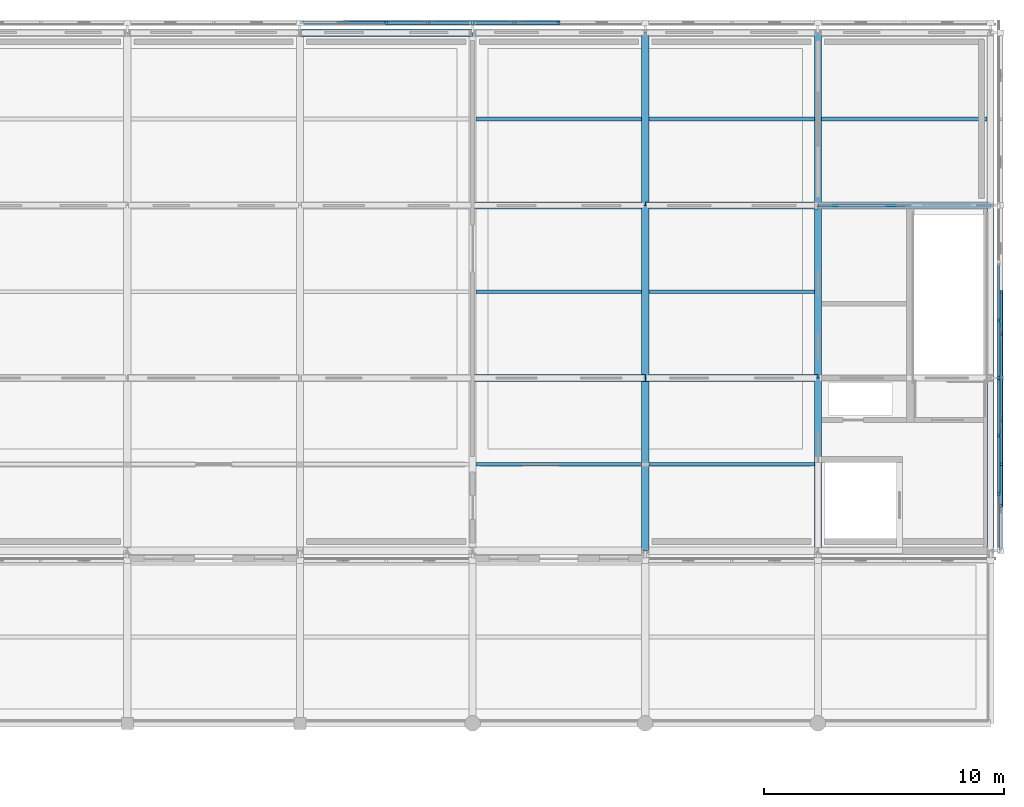
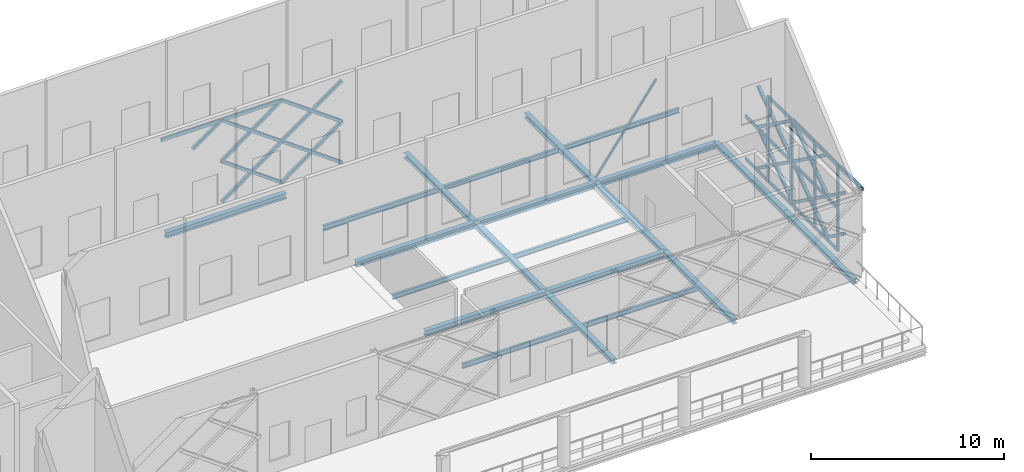
# One storey, part 16 of 31: 46 members, 21 beams, 2 elements without a shape of their own.
"""IFC4 building model written with IfcOpenShell, lengths in metres."""

from ifc_helpers import new_model, si_unit, direction, frame, origin, origin_2d, place, context, subcontext, project, spatial, rectangle, hollow_rectangle, i_section, extrude, material, material_profile, profile_set, type_object, element, aggregate, save


model = new_model("IFC4")

# Units and contexts
model_context = context("Model", 3, precision=1e-05, world=origin(), true_north=direction((0.0, 1.0)))
body_context = subcontext(model_context, "Body", "Model", "MODEL_VIEW")
ifc_project = project(units=[si_unit("LENGTHUNIT", "METRE"), si_unit("AREAUNIT", "SQUARE_METRE"), si_unit("VOLUMEUNIT", "CUBIC_METRE"), si_unit("PLANEANGLEUNIT", "RADIAN"), si_unit("MASSUNIT", "GRAM", prefix="KILO")], contexts=[model_context])

# Site, building, storey
site_placement = place(None, origin())
site = spatial("IfcSite", under=ifc_project, at=site_placement, CompositionType="ELEMENT")
building_placement = place(site_placement, origin())
building = spatial("IfcBuilding", under=site, at=building_placement, Name="Zlatovets Crest Museum", CompositionType="ELEMENT")
storey_placement = place(building_placement, frame((0.0, 0.0, 25.199951171875)))
storey = spatial("IfcBuildingStorey", under=building, at=storey_placement, Name="L05", CompositionType="ELEMENT", Elevation=25.199951171875)

# Beams
ifc_material_1 = material(Name="Structural steel S355J2", Category="steel")
ifc_material_profile_1 = material_profile(ifc_material_1, i_section(OverallWidth=0.300048828125, OverallDepth=0.35009765625, WebThickness=0.010009765625, FlangeThickness=0.017578125, FilletRadius=0.027099609375, at=origin_2d()), Name="HEA 360")
ifc_profile_set_1 = profile_set([ifc_material_profile_1], Name="Structural steel S355J2")
beam_type_1 = type_object("IfcBeamType", Name="Beam_B-03", PredefinedType="BEAM", material=ifc_profile_set_1)
beam_1_placement = place(storey_placement, frame((86.39990234375, 100.800048828125, -0.4150390625), z_axis=(1.0, 0.0, 0.0), x_axis=(0.0, 1.0, 0.0)))
element("IfcBeam", 1, at=beam_1_placement, inside=storey, type_object=beam_type_1, Name="V1 L05 Primary Girder B-03", PredefinedType="BEAM", context=body_context, shape_type="SweptSolid", body=[
    extrude(i_section(OverallWidth=0.300048828125, OverallDepth=0.35009765625, WebThickness=0.010009765625, FlangeThickness=0.017578125, FilletRadius=0.027099609375, at=origin_2d()), origin(), (0.0, 0.0, 1.0), 7.2001953125),
])
beam_2_placement = place(storey_placement, frame((93.60009765625, 100.800048828125, -0.4150390625), z_axis=(1.0, 0.0, 0.0), x_axis=(0.0, 1.0, 0.0)))
element("IfcBeam", 2, at=beam_2_placement, inside=storey, type_object=beam_type_1, Name="V1 L05 Primary Girder B-03", PredefinedType="BEAM", context=body_context, shape_type="SweptSolid", body=[
    extrude(i_section(OverallWidth=0.300048828125, OverallDepth=0.35009765625, WebThickness=0.010009765625, FlangeThickness=0.017578125, FilletRadius=0.027099609375, at=origin_2d()), origin(), (0.0, 0.0, 1.0), 7.199951171875),
])
beam_3_placement = place(storey_placement, frame((86.39990234375, 108.0, -0.4150390625), z_axis=(1.0, 0.0, 0.0), x_axis=(0.0, 1.0, 0.0)))
element("IfcBeam", 3, at=beam_3_placement, inside=storey, type_object=beam_type_1, Name="V1 L05 Primary Girder B-03", PredefinedType="BEAM", context=body_context, shape_type="SweptSolid", body=[
    extrude(i_section(OverallWidth=0.300048828125, OverallDepth=0.35009765625, WebThickness=0.010009765625, FlangeThickness=0.017578125, FilletRadius=0.027099609375, at=origin_2d()), origin(), (0.0, 0.0, 1.0), 7.2001953125),
])
for number, where, z_axis, x_axis, name in (
    (4, (93.60009765625, 108.0, -0.4150390625), (1.0, 0.0, 0.0), (0.0, 1.0, 0.0), "V1 L05 Primary Girder B-03"),
    (5, (100.800048828125, 108.0, -0.4150390625), (1.0, 0.0, 0.0), (0.0, 1.0, 0.0), "V1 L05 Primary Girder B-03"),
    (6, (79.199951171875, 115.199951171875, -0.4150390625), (1.0, 0.0, 0.0), (0.0, 1.0, 0.0), "V1 L05 Primary Girder B-03"),
):
    element("IfcBeam", number, at=place(storey_placement, frame(where, z_axis=z_axis, x_axis=x_axis)), inside=storey, type_object=beam_type_1, Name=name, PredefinedType="BEAM", context=body_context, shape_type="SweptSolid", body=[
        extrude(i_section(OverallWidth=0.300048828125, OverallDepth=0.35009765625, WebThickness=0.010009765625, FlangeThickness=0.017578125, FilletRadius=0.027099609375, at=origin_2d()), origin(), (0.0, 0.0, 1.0), 7.199951171875),
    ])
ifc_material_profile_2 = material_profile(ifc_material_1, i_section(OverallWidth=0.300048828125, OverallDepth=0.31005859375, WebThickness=0.009033203125, FlangeThickness=0.015380859375, FilletRadius=0.027099609375, at=origin_2d()), Name="HEA 320")
ifc_profile_set_2 = profile_set([ifc_material_profile_2], Name="Structural steel S355J2")
beam_type_2 = type_object("IfcBeamType", Name="Beam_B-04", PredefinedType="BEAM", material=ifc_profile_set_2)
for number, where, z_axis, x_axis, name in (
    (7, (93.60009765625, 93.60009765625, -0.39501953125), (0.0, 1.0, 0.0), (-1.0, 0.0, 0.0), "V1 L05 Grid Beam B-04"),
    (8, (93.60009765625, 100.800048828125, -0.39501953125), (0.0, 1.0, 0.0), (-1.0, 0.0, 0.0), "V1 L05 Grid Beam B-04"),
    (9, (93.60009765625, 108.0, -0.39501953125), (0.0, 1.0, 0.0), (-1.0, 0.0, 0.0), "V1 L05 Grid Beam B-04"),
    (10, (100.800048828125, 93.60009765625, -0.39501953125), (0.0, 1.0, 0.0), (-1.0, 0.0, 0.0), "V1 L05 Grid Beam B-04"),
    (11, (100.800048828125, 100.800048828125, -0.39501953125), (0.0, 1.0, 0.0), (-1.0, 0.0, 0.0), "V1 L05 Grid Beam B-04"),
    (12, (100.800048828125, 108.0, -0.39501953125), (0.0, 1.0, 0.0), (-1.0, 0.0, 0.0), "V1 L05 Grid Beam B-04"),
    (13, (108.0, 93.60009765625, -0.39501953125), (0.0, 1.0, 0.0), (-1.0, 0.0, 0.0), "V1 L05 Grid Beam B-04"),
    (14, (108.0, 100.800048828125, -0.39501953125), (0.0, 1.0, 0.0), (-1.0, 0.0, 0.0), "V1 L05 Grid Beam B-04"),
):
    element("IfcBeam", number, at=place(storey_placement, frame(where, z_axis=z_axis, x_axis=x_axis)), inside=storey, type_object=beam_type_2, Name=name, PredefinedType="BEAM", context=body_context, shape_type="SweptSolid", body=[
        extrude(i_section(OverallWidth=0.300048828125, OverallDepth=0.31005859375, WebThickness=0.009033203125, FlangeThickness=0.015380859375, FilletRadius=0.027099609375, at=origin_2d()), origin(), (0.0, 0.0, 1.0), 7.199951171875),
    ])
ifc_material_profile_3 = material_profile(ifc_material_1, i_section(OverallWidth=0.14990234375, OverallDepth=0.300048828125, WebThickness=0.007080078125, FlangeThickness=0.0107421875, FilletRadius=0.014892578125, at=origin_2d()), Name="IPE 300")
ifc_profile_set_3 = profile_set([ifc_material_profile_3], Name="Structural steel S355J2")
beam_type_3 = type_object("IfcBeamType", Name="Beam_J-02", PredefinedType="JOIST", material=ifc_profile_set_3)
for number, where, z_axis, x_axis, name in (
    (15, (86.550048828125, 97.199951171875, -0.389892578125), (1.0, 0.0, 0.0), (0.0, 1.0, 0.0), "V1 L05 Composite Joist J-02"),
    (16, (86.550048828125, 104.39990234375, -0.389892578125), (1.0, 0.0, 0.0), (0.0, 1.0, 0.0), "V1 L05 Composite Joist J-02"),
    (17, (86.550048828125, 111.60009765625, -0.389892578125), (1.0, 0.0, 0.0), (0.0, 1.0, 0.0), "V1 L05 Composite Joist J-02"),
    (18, (93.75, 97.199951171875, -0.389892578125), (1.0, 0.0, 0.0), (0.0, 1.0, 0.0), "V1 L05 Composite Joist J-02"),
    (19, (93.75, 104.39990234375, -0.389892578125), (1.0, 0.0, 0.0), (0.0, 1.0, 0.0), "V1 L05 Composite Joist J-02"),
    (20, (93.75, 111.60009765625, -0.389892578125), (1.0, 0.0, 0.0), (0.0, 1.0, 0.0), "V1 L05 Composite Joist J-02"),
):
    element("IfcBeam", number, at=place(storey_placement, frame(where, z_axis=z_axis, x_axis=x_axis)), inside=storey, type_object=beam_type_3, Name=name, PredefinedType="JOIST", context=body_context, shape_type="SweptSolid", body=[
        extrude(i_section(OverallWidth=0.14990234375, OverallDepth=0.300048828125, WebThickness=0.007080078125, FlangeThickness=0.0107421875, FilletRadius=0.014892578125, at=origin_2d()), origin(), (0.0, 0.0, 1.0), 6.89990234375),
    ])
beam_4_placement = place(storey_placement, frame((100.949951171875, 111.60009765625, -0.389892578125), z_axis=(1.0, 0.0, 0.0), x_axis=(0.0, 1.0, 0.0)))
element("IfcBeam", 21, at=beam_4_placement, inside=storey, type_object=beam_type_3, Name="V1 L05 Composite Joist J-02", PredefinedType="JOIST", context=body_context, shape_type="SweptSolid", body=[
    extrude(i_section(OverallWidth=0.14990234375, OverallDepth=0.300048828125, WebThickness=0.007080078125, FlangeThickness=0.0107421875, FilletRadius=0.014892578125, at=origin_2d()), origin(), (0.0, 0.0, 1.0), 6.900146484375),
])

# Curtain wall, members
ifc_material_2 = material(Name="Bronze-anodised aluminium and low-E triple glass", Category="aluminium")
curtain_wall_type_1 = type_object("IfcCurtainWallType", Name="CW_CW-V1-L05-M3", PredefinedType="NOTDEFINED", material=ifc_material_2)
curtain_wall_1_placement = place(storey_placement, origin())
curtain_wall_1 = element("IfcCurtainWall", 22, at=curtain_wall_1_placement, inside=storey, type_object=curtain_wall_type_1, Name="V1 L05 Expressed Core Glazed Facade", PredefinedType="NOTDEFINED")
ifc_material_3 = material(Name="Bronze-anodised aluminium EN AW-6060", Category="aluminium")
ifc_material_profile_4 = material_profile(ifc_material_3, rectangle(XDim=0.090087890625, YDim=0.199951171875, at=origin_2d()), Name="ALU 90x200")
ifc_profile_set_4 = profile_set([ifc_material_profile_4], Name="Bronze-anodised aluminium EN AW-6060")
member_type_1 = type_object("IfcMemberType", Name="CWMull_M2", PredefinedType="MULLION", material=ifc_profile_set_4)
member_1_placement = place(storey_placement, frame((108.340087890625, 96.0, 0.0), z_axis=(0.0, 0.0, 1.0), x_axis=(-1.0, 0.0, 0.0)))
member_1 = element("IfcMember", 23, at=member_1_placement, type_object=member_type_1, Name="CW-V1-L05-M3 mullion 2", PredefinedType="MULLION", context=body_context, shape_type="SweptSolid", body=[
    extrude(rectangle(XDim=0.090087890625, YDim=0.199951171875, at=origin_2d()), origin(), (0.0, 0.0, 1.0), 5.400146484375),
])
member_2_placement = place(storey_placement, frame((108.340087890625, 98.39990234375, 0.0), z_axis=(0.0, 0.0, 1.0), x_axis=(-1.0, 0.0, 0.0)))
member_2 = element("IfcMember", 24, at=member_2_placement, type_object=member_type_1, Name="CW-V1-L05-M3 mullion 3", PredefinedType="MULLION", context=body_context, shape_type="SweptSolid", body=[
    extrude(rectangle(XDim=0.090087890625, YDim=0.199951171875, at=origin_2d()), origin(), (0.0, 0.0, 1.0), 5.400146484375),
])
member_3_placement = place(storey_placement, frame((108.340087890625, 100.77001953125, 0.0), z_axis=(0.0, 0.0, 1.0), x_axis=(-1.0, 0.0, 0.0)))
member_3 = element("IfcMember", 25, at=member_3_placement, type_object=member_type_1, Name="CW-V1-L05-M3 mullion 4", PredefinedType="MULLION", context=body_context, shape_type="SweptSolid", body=[
    extrude(rectangle(XDim=0.090087890625, YDim=0.199951171875, at=origin_2d()), origin(), (0.0, 0.0, 1.0), 5.400146484375),
])

curtain_wall_type_2 = type_object("IfcCurtainWallType", Name="CW_CW-V1-L05-M0", PredefinedType="NOTDEFINED", material=ifc_material_2)
curtain_wall_2_placement = place(storey_placement, origin())
curtain_wall_2 = element("IfcCurtainWall", 26, at=curtain_wall_2_placement, inside=storey, type_object=curtain_wall_type_2, Name="V1 L05 Expressed Core Glazed Facade", PredefinedType="NOTDEFINED")
member_4_placement = place(storey_placement, frame((108.340087890625, 100.830078125, 0.0), z_axis=(0.0, 0.0, 1.0), x_axis=(-1.0, 0.0, 0.0)))
member_4 = element("IfcMember", 27, at=member_4_placement, type_object=member_type_1, Name="CW-V1-L05-M0 mullion 1", PredefinedType="MULLION", context=body_context, shape_type="SweptSolid", body=[
    extrude(rectangle(XDim=0.090087890625, YDim=0.199951171875, at=origin_2d()), origin(), (0.0, 0.0, 1.0), 5.400146484375),
])
member_5_placement = place(storey_placement, frame((108.340087890625, 103.199951171875, 0.0), z_axis=(0.0, 0.0, 1.0), x_axis=(-1.0, 0.0, 0.0)))
member_5 = element("IfcMember", 28, at=member_5_placement, type_object=member_type_1, Name="CW-V1-L05-M0 mullion 2", PredefinedType="MULLION", context=body_context, shape_type="SweptSolid", body=[
    extrude(rectangle(XDim=0.090087890625, YDim=0.199951171875, at=origin_2d()), origin(), (0.0, 0.0, 1.0), 5.400146484375),
])

# Member
ifc_material_profile_5 = material_profile(ifc_material_3, rectangle(XDim=0.090087890625, YDim=0.199951171875, at=origin_2d()), Name="ALU 90x200")
ifc_profile_set_5 = profile_set([ifc_material_profile_5], Name="Bronze-anodised aluminium EN AW-6060")
member_type_2 = type_object("IfcMemberType", Name="CWTrans_T2", PredefinedType="USERDEFINED", material=ifc_profile_set_5)
member_6_placement = place(storey_placement, frame((108.340087890625, 96.030029296875, 0.030029296875), z_axis=(0.0, 1.0, 0.0), x_axis=(-1.0, 0.0, 0.0)))
member_6 = element("IfcMember", 29, at=member_6_placement, type_object=member_type_2, Name="CW-V1-L05-M3 transom 2.1", ObjectType="TRANSOM", PredefinedType="USERDEFINED", context=body_context, shape_type="SweptSolid", body=[
    extrude(rectangle(XDim=0.090087890625, YDim=0.199951171875, at=origin_2d()), origin(), (0.0, 0.0, 1.0), 2.340087890625),
])

member_7_placement = place(storey_placement, frame((108.340087890625, 96.030029296875, 2.699951171875), z_axis=(0.0, 1.0, 0.0), x_axis=(-1.0, 0.0, 0.0)))
member_7 = element("IfcMember", 30, at=member_7_placement, type_object=member_type_2, Name="CW-V1-L05-M3 transom 2.2", ObjectType="TRANSOM", PredefinedType="USERDEFINED", context=body_context, shape_type="SweptSolid", body=[
    extrude(rectangle(XDim=0.090087890625, YDim=0.199951171875, at=origin_2d()), origin(), (0.0, 0.0, 1.0), 2.340087890625),
])

member_8_placement = place(storey_placement, frame((108.340087890625, 96.030029296875, 5.3701171875), z_axis=(0.0, 1.0, 0.0), x_axis=(-1.0, 0.0, 0.0)))
member_8 = element("IfcMember", 31, at=member_8_placement, type_object=member_type_2, Name="CW-V1-L05-M3 transom 2.3", ObjectType="TRANSOM", PredefinedType="USERDEFINED", context=body_context, shape_type="SweptSolid", body=[
    extrude(rectangle(XDim=0.090087890625, YDim=0.199951171875, at=origin_2d()), origin(), (0.0, 0.0, 1.0), 2.340087890625),
])

member_9_placement = place(storey_placement, frame((108.340087890625, 98.429931640625, 0.030029296875), z_axis=(0.0, 1.0, 0.0), x_axis=(-1.0, 0.0, 0.0)))
member_9 = element("IfcMember", 32, at=member_9_placement, type_object=member_type_2, Name="CW-V1-L05-M3 transom 3.1", ObjectType="TRANSOM", PredefinedType="USERDEFINED", context=body_context, shape_type="SweptSolid", body=[
    extrude(rectangle(XDim=0.090087890625, YDim=0.199951171875, at=origin_2d()), origin(), (0.0, 0.0, 1.0), 2.31005859375),
])

member_10_placement = place(storey_placement, frame((108.340087890625, 98.429931640625, 2.699951171875), z_axis=(0.0, 1.0, 0.0), x_axis=(-1.0, 0.0, 0.0)))
member_10 = element("IfcMember", 33, at=member_10_placement, type_object=member_type_2, Name="CW-V1-L05-M3 transom 3.2", ObjectType="TRANSOM", PredefinedType="USERDEFINED", context=body_context, shape_type="SweptSolid", body=[
    extrude(rectangle(XDim=0.090087890625, YDim=0.199951171875, at=origin_2d()), origin(), (0.0, 0.0, 1.0), 2.31005859375),
])

member_11_placement = place(storey_placement, frame((108.340087890625, 98.429931640625, 5.3701171875), z_axis=(0.0, 1.0, 0.0), x_axis=(-1.0, 0.0, 0.0)))
member_11 = element("IfcMember", 34, at=member_11_placement, type_object=member_type_2, Name="CW-V1-L05-M3 transom 3.3", ObjectType="TRANSOM", PredefinedType="USERDEFINED", context=body_context, shape_type="SweptSolid", body=[
    extrude(rectangle(XDim=0.090087890625, YDim=0.199951171875, at=origin_2d()), origin(), (0.0, 0.0, 1.0), 2.31005859375),
])

aggregate(curtain_wall_1, [member_1, member_2, member_3, member_6, member_7, member_8, member_9, member_10, member_11])

member_12_placement = place(storey_placement, frame((108.340087890625, 100.860107421875, 0.030029296875), z_axis=(0.0, 1.0, 0.0), x_axis=(-1.0, 0.0, 0.0)))
member_12 = element("IfcMember", 35, at=member_12_placement, type_object=member_type_2, Name="CW-V1-L05-M0 transom 1.1", ObjectType="TRANSOM", PredefinedType="USERDEFINED", context=body_context, shape_type="SweptSolid", body=[
    extrude(rectangle(XDim=0.090087890625, YDim=0.199951171875, at=origin_2d()), origin(), (0.0, 0.0, 1.0), 2.309814453125),
])

member_13_placement = place(storey_placement, frame((108.340087890625, 100.860107421875, 2.699951171875), z_axis=(0.0, 1.0, 0.0), x_axis=(-1.0, 0.0, 0.0)))
member_13 = element("IfcMember", 36, at=member_13_placement, type_object=member_type_2, Name="CW-V1-L05-M0 transom 1.2", ObjectType="TRANSOM", PredefinedType="USERDEFINED", context=body_context, shape_type="SweptSolid", body=[
    extrude(rectangle(XDim=0.090087890625, YDim=0.199951171875, at=origin_2d()), origin(), (0.0, 0.0, 1.0), 2.309814453125),
])

member_14_placement = place(storey_placement, frame((108.340087890625, 100.860107421875, 5.3701171875), z_axis=(0.0, 1.0, 0.0), x_axis=(-1.0, 0.0, 0.0)))
member_14 = element("IfcMember", 37, at=member_14_placement, type_object=member_type_2, Name="CW-V1-L05-M0 transom 1.3", ObjectType="TRANSOM", PredefinedType="USERDEFINED", context=body_context, shape_type="SweptSolid", body=[
    extrude(rectangle(XDim=0.090087890625, YDim=0.199951171875, at=origin_2d()), origin(), (0.0, 0.0, 1.0), 2.309814453125),
])

member_15_placement = place(storey_placement, frame((108.340087890625, 103.22998046875, 0.030029296875), z_axis=(0.0, 1.0, 0.0), x_axis=(-1.0, 0.0, 0.0)))
member_15 = element("IfcMember", 38, at=member_15_placement, type_object=member_type_2, Name="CW-V1-L05-M0 transom 2.1", ObjectType="TRANSOM", PredefinedType="USERDEFINED", context=body_context, shape_type="SweptSolid", body=[
    extrude(rectangle(XDim=0.090087890625, YDim=0.199951171875, at=origin_2d()), origin(), (0.0, 0.0, 1.0), 2.340087890625),
])

member_16_placement = place(storey_placement, frame((108.340087890625, 103.22998046875, 2.699951171875), z_axis=(0.0, 1.0, 0.0), x_axis=(-1.0, 0.0, 0.0)))
member_16 = element("IfcMember", 39, at=member_16_placement, type_object=member_type_2, Name="CW-V1-L05-M0 transom 2.2", ObjectType="TRANSOM", PredefinedType="USERDEFINED", context=body_context, shape_type="SweptSolid", body=[
    extrude(rectangle(XDim=0.090087890625, YDim=0.199951171875, at=origin_2d()), origin(), (0.0, 0.0, 1.0), 2.340087890625),
])

aggregate(curtain_wall_2, [member_4, member_5, member_12, member_13, member_14, member_15, member_16])

# Members
ifc_material_4 = material(Name="Weathering bronze-steel S355J2W", Category="steel")
ifc_material_profile_6 = material_profile(ifc_material_4, hollow_rectangle(XDim=0.179931640625, YDim=0.179931640625, WallThickness=0.010009765625, InnerFilletRadius=0.010009765625, OuterFilletRadius=0.02001953125, at=origin_2d()), Name="SHS 180x180x10.0")
ifc_profile_set_6 = profile_set([ifc_material_profile_6], Name="Weathering bronze-steel S355J2W")
member_type_3 = type_object("IfcMemberType", Name="Lattice_XL-01", PredefinedType="BRACE", material=ifc_profile_set_6)
member_17_placement = place(storey_placement, frame((108.419921875, 95.47705078125, 1.344482421875), z_axis=(0.0, 0.810664082502, -0.585511524516), x_axis=(-1.0, 0.0, 0.0)))
element("IfcMember", 40, at=member_17_placement, inside=storey, type_object=member_type_3, Name="Split Crossing Bronze Lattice Diagonal Lower", PredefinedType="BRACE", context=body_context, shape_type="SweptSolid", body=[
    extrude(hollow_rectangle(XDim=0.179931640625, YDim=0.179931640625, WallThickness=0.010009765625, InnerFilletRadius=0.010009765625, OuterFilletRadius=0.02001953125, at=origin_2d()), origin(), (0.0, 0.0, 1.0), 2.125244140625),
])
member_18_placement = place(storey_placement, frame((108.419921875, 97.199951171875, 0.10009765625), z_axis=(0.0, 0.810702423259, 0.585458436545), x_axis=(-1.0, 0.0, 0.0)))
element("IfcMember", 41, at=member_18_placement, inside=storey, type_object=member_type_3, Name="Continuous Bronze Lattice Diagonal", PredefinedType="BRACE", context=body_context, shape_type="SweptSolid", body=[
    extrude(hollow_rectangle(XDim=0.179931640625, YDim=0.179931640625, WallThickness=0.010009765625, InnerFilletRadius=0.010009765625, OuterFilletRadius=0.02001953125, at=origin_2d()), origin(), (0.0, 0.0, 1.0), 4.440673828125),
])
for number, where, z_axis, x_axis, name in (
    (42, (108.419921875, 97.199951171875, 2.699951171875), (0.0, 0.810703458452, -0.585457003079), (-1.0, 0.0, 0.0), "Split Crossing Bronze Lattice Diagonal Upper"),
    (43, (108.419921875, 99.076904296875, 1.344482421875), (0.0, 0.810703458452, -0.585457003079), (-1.0, 0.0, 0.0), "Split Crossing Bronze Lattice Diagonal Lower"),
):
    element("IfcMember", number, at=place(storey_placement, frame(where, z_axis=z_axis, x_axis=x_axis)), inside=storey, type_object=member_type_3, Name=name, PredefinedType="BRACE", context=body_context, shape_type="SweptSolid", body=[
        extrude(hollow_rectangle(XDim=0.179931640625, YDim=0.179931640625, WallThickness=0.010009765625, InnerFilletRadius=0.010009765625, OuterFilletRadius=0.02001953125, at=origin_2d()), origin(), (0.0, 0.0, 1.0), 2.12548828125),
    ])
member_19_placement = place(storey_placement, frame((108.419921875, 95.47705078125, 3.9443359375), z_axis=(0.0, 0.810664082502, -0.585511524516), x_axis=(-1.0, 0.0, 0.0)))
element("IfcMember", 44, at=member_19_placement, inside=storey, type_object=member_type_3, Name="Split Crossing Bronze Lattice Diagonal Lower", PredefinedType="BRACE", context=body_context, shape_type="SweptSolid", body=[
    extrude(hollow_rectangle(XDim=0.179931640625, YDim=0.179931640625, WallThickness=0.010009765625, InnerFilletRadius=0.010009765625, OuterFilletRadius=0.02001953125, at=origin_2d()), origin(), (0.0, 0.0, 1.0), 2.125244140625),
])
member_20_placement = place(storey_placement, frame((108.419921875, 97.199951171875, 2.699951171875), z_axis=(0.0, 0.810676329046, 0.585494568313), x_axis=(-1.0, 0.0, 0.0)))
element("IfcMember", 45, at=member_20_placement, inside=storey, type_object=member_type_3, Name="Continuous Bronze Lattice Diagonal", PredefinedType="BRACE", context=body_context, shape_type="SweptSolid", body=[
    extrude(hollow_rectangle(XDim=0.179931640625, YDim=0.179931640625, WallThickness=0.010009765625, InnerFilletRadius=0.010009765625, OuterFilletRadius=0.02001953125, at=origin_2d()), origin(), (0.0, 0.0, 1.0), 4.44091796875),
])
for number, where, z_axis, x_axis, name in (
    (46, (108.419921875, 97.199951171875, 5.300048828125), (0.0, 0.810703458452, -0.585457003079), (-1.0, 0.0, 0.0), "Split Crossing Bronze Lattice Diagonal Upper"),
    (47, (108.419921875, 99.076904296875, 3.9443359375), (0.0, 0.810703458452, -0.585457003079), (-1.0, 0.0, 0.0), "Split Crossing Bronze Lattice Diagonal Lower"),
):
    element("IfcMember", number, at=place(storey_placement, frame(where, z_axis=z_axis, x_axis=x_axis)), inside=storey, type_object=member_type_3, Name=name, PredefinedType="BRACE", context=body_context, shape_type="SweptSolid", body=[
        extrude(hollow_rectangle(XDim=0.179931640625, YDim=0.179931640625, WallThickness=0.010009765625, InnerFilletRadius=0.010009765625, OuterFilletRadius=0.02001953125, at=origin_2d()), origin(), (0.0, 0.0, 1.0), 2.12548828125),
    ])
member_21_placement = place(storey_placement, frame((108.419921875, 100.800048828125, 0.10009765625), z_axis=(0.0, 0.810683577727, 0.585484531652), x_axis=(-1.0, 0.0, 0.0)))
element("IfcMember", 48, at=member_21_placement, inside=storey, type_object=member_type_3, Name="Continuous Bronze Lattice Diagonal", PredefinedType="BRACE", context=body_context, shape_type="SweptSolid", body=[
    extrude(hollow_rectangle(XDim=0.179931640625, YDim=0.179931640625, WallThickness=0.010009765625, InnerFilletRadius=0.010009765625, OuterFilletRadius=0.02001953125, at=origin_2d()), origin(), (0.0, 0.0, 1.0), 4.4404296875),
])
for number, where, z_axis, x_axis, name in (
    (49, (108.419921875, 100.800048828125, 2.699951171875), (0.0, 0.810664082502, -0.585511524516), (-1.0, 0.0, 0.0), "Split Crossing Bronze Lattice Diagonal Upper"),
    (50, (108.419921875, 102.677001953125, 1.344482421875), (0.0, 0.810664082502, -0.585511524516), (-1.0, 0.0, 0.0), "Split Crossing Bronze Lattice Diagonal Lower"),
):
    element("IfcMember", number, at=place(storey_placement, frame(where, z_axis=z_axis, x_axis=x_axis)), inside=storey, type_object=member_type_3, Name=name, PredefinedType="BRACE", context=body_context, shape_type="SweptSolid", body=[
        extrude(hollow_rectangle(XDim=0.179931640625, YDim=0.179931640625, WallThickness=0.010009765625, InnerFilletRadius=0.010009765625, OuterFilletRadius=0.02001953125, at=origin_2d()), origin(), (0.0, 0.0, 1.0), 2.125244140625),
    ])
member_22_placement = place(storey_placement, frame((108.419921875, 100.800048828125, 2.699951171875), z_axis=(0.0, 0.810657481794, 0.585520663351), x_axis=(-1.0, 0.0, 0.0)))
element("IfcMember", 51, at=member_22_placement, inside=storey, type_object=member_type_3, Name="Continuous Bronze Lattice Diagonal", PredefinedType="BRACE", context=body_context, shape_type="SweptSolid", body=[
    extrude(hollow_rectangle(XDim=0.179931640625, YDim=0.179931640625, WallThickness=0.010009765625, InnerFilletRadius=0.010009765625, OuterFilletRadius=0.02001953125, at=origin_2d()), origin(), (0.0, 0.0, 1.0), 4.440673828125),
])
for number, where, z_axis, x_axis, name in (
    (52, (108.419921875, 100.800048828125, 5.300048828125), (0.0, 0.810664082502, -0.585511524516), (-1.0, 0.0, 0.0), "Split Crossing Bronze Lattice Diagonal Upper"),
    (53, (108.419921875, 102.677001953125, 3.9443359375), (0.0, 0.810664082502, -0.585511524516), (-1.0, 0.0, 0.0), "Split Crossing Bronze Lattice Diagonal Lower"),
):
    element("IfcMember", number, at=place(storey_placement, frame(where, z_axis=z_axis, x_axis=x_axis)), inside=storey, type_object=member_type_3, Name=name, PredefinedType="BRACE", context=body_context, shape_type="SweptSolid", body=[
        extrude(hollow_rectangle(XDim=0.179931640625, YDim=0.179931640625, WallThickness=0.010009765625, InnerFilletRadius=0.010009765625, OuterFilletRadius=0.02001953125, at=origin_2d()), origin(), (0.0, 0.0, 1.0), 2.125244140625),
    ])
member_23_placement = place(storey_placement, frame((90.0, 115.6201171875, 0.10009765625), z_axis=(-0.810702423259, 0.0, 0.585458436545), x_axis=(0.0, -1.0, 0.0)))
element("IfcMember", 54, at=member_23_placement, inside=storey, type_object=member_type_3, Name="Continuous Bronze Lattice Diagonal", PredefinedType="BRACE", context=body_context, shape_type="SweptSolid", body=[
    extrude(hollow_rectangle(XDim=0.179931640625, YDim=0.179931640625, WallThickness=0.010009765625, InnerFilletRadius=0.010009765625, OuterFilletRadius=0.02001953125, at=origin_2d()), origin(), (0.0, 0.0, 1.0), 4.440673828125),
])
member_24_placement = place(storey_placement, frame((90.0, 115.6201171875, 2.699951171875), z_axis=(-0.810664082502, 0.0, -0.585511524516), x_axis=(0.0, -1.0, 0.0)))
element("IfcMember", 55, at=member_24_placement, inside=storey, type_object=member_type_3, Name="Split Crossing Bronze Lattice Diagonal Upper", PredefinedType="BRACE", context=body_context, shape_type="SweptSolid", body=[
    extrude(hollow_rectangle(XDim=0.179931640625, YDim=0.179931640625, WallThickness=0.010009765625, InnerFilletRadius=0.010009765625, OuterFilletRadius=0.02001953125, at=origin_2d()), origin(), (0.0, 0.0, 1.0), 2.125244140625),
])
member_25_placement = place(storey_placement, frame((88.123046875, 115.6201171875, 1.344482421875), z_axis=(-0.810703458452, 0.0, -0.585457003079), x_axis=(0.0, -1.0, 0.0)))
element("IfcMember", 56, at=member_25_placement, inside=storey, type_object=member_type_3, Name="Split Crossing Bronze Lattice Diagonal Lower", PredefinedType="BRACE", context=body_context, shape_type="SweptSolid", body=[
    extrude(hollow_rectangle(XDim=0.179931640625, YDim=0.179931640625, WallThickness=0.010009765625, InnerFilletRadius=0.010009765625, OuterFilletRadius=0.02001953125, at=origin_2d()), origin(), (0.0, 0.0, 1.0), 2.12548828125),
])
member_26_placement = place(storey_placement, frame((90.0, 115.6201171875, 2.699951171875), z_axis=(-0.810676329046, 0.0, 0.585494568313), x_axis=(0.0, -1.0, 0.0)))
element("IfcMember", 57, at=member_26_placement, inside=storey, type_object=member_type_3, Name="Continuous Bronze Lattice Diagonal", PredefinedType="BRACE", context=body_context, shape_type="SweptSolid", body=[
    extrude(hollow_rectangle(XDim=0.179931640625, YDim=0.179931640625, WallThickness=0.010009765625, InnerFilletRadius=0.010009765625, OuterFilletRadius=0.02001953125, at=origin_2d()), origin(), (0.0, 0.0, 1.0), 4.44091796875),
])
member_27_placement = place(storey_placement, frame((90.0, 115.6201171875, 5.300048828125), z_axis=(-0.810664082502, 0.0, -0.585511524516), x_axis=(0.0, -1.0, 0.0)))
element("IfcMember", 58, at=member_27_placement, inside=storey, type_object=member_type_3, Name="Split Crossing Bronze Lattice Diagonal Upper", PredefinedType="BRACE", context=body_context, shape_type="SweptSolid", body=[
    extrude(hollow_rectangle(XDim=0.179931640625, YDim=0.179931640625, WallThickness=0.010009765625, InnerFilletRadius=0.010009765625, OuterFilletRadius=0.02001953125, at=origin_2d()), origin(), (0.0, 0.0, 1.0), 2.125244140625),
])
member_28_placement = place(storey_placement, frame((88.123046875, 115.6201171875, 3.9443359375), z_axis=(-0.810703458452, 0.0, -0.585457003079), x_axis=(0.0, -1.0, 0.0)))
element("IfcMember", 59, at=member_28_placement, inside=storey, type_object=member_type_3, Name="Split Crossing Bronze Lattice Diagonal Lower", PredefinedType="BRACE", context=body_context, shape_type="SweptSolid", body=[
    extrude(hollow_rectangle(XDim=0.179931640625, YDim=0.179931640625, WallThickness=0.010009765625, InnerFilletRadius=0.010009765625, OuterFilletRadius=0.02001953125, at=origin_2d()), origin(), (0.0, 0.0, 1.0), 2.12548828125),
])
member_29_placement = place(storey_placement, frame((86.39990234375, 115.6201171875, 0.10009765625), z_axis=(-0.810683577727, 0.0, 0.585484531652), x_axis=(0.0, -1.0, 0.0)))
element("IfcMember", 60, at=member_29_placement, inside=storey, type_object=member_type_3, Name="Continuous Bronze Lattice Diagonal", PredefinedType="BRACE", context=body_context, shape_type="SweptSolid", body=[
    extrude(hollow_rectangle(XDim=0.179931640625, YDim=0.179931640625, WallThickness=0.010009765625, InnerFilletRadius=0.010009765625, OuterFilletRadius=0.02001953125, at=origin_2d()), origin(), (0.0, 0.0, 1.0), 4.4404296875),
])
for number, where, z_axis, x_axis, name in (
    (61, (86.39990234375, 115.6201171875, 2.699951171875), (-0.810664082502, 0.0, -0.585511524516), (0.0, -1.0, 0.0), "Split Crossing Bronze Lattice Diagonal Upper"),
    (62, (84.52294921875, 115.6201171875, 1.344482421875), (-0.810664082502, 0.0, -0.585511524516), (0.0, -1.0, 0.0), "Split Crossing Bronze Lattice Diagonal Lower"),
):
    element("IfcMember", number, at=place(storey_placement, frame(where, z_axis=z_axis, x_axis=x_axis)), inside=storey, type_object=member_type_3, Name=name, PredefinedType="BRACE", context=body_context, shape_type="SweptSolid", body=[
        extrude(hollow_rectangle(XDim=0.179931640625, YDim=0.179931640625, WallThickness=0.010009765625, InnerFilletRadius=0.010009765625, OuterFilletRadius=0.02001953125, at=origin_2d()), origin(), (0.0, 0.0, 1.0), 2.125244140625),
    ])
member_30_placement = place(storey_placement, frame((86.39990234375, 115.6201171875, 2.699951171875), z_axis=(-0.810657481794, 0.0, 0.585520663351), x_axis=(0.0, -1.0, 0.0)))
element("IfcMember", 63, at=member_30_placement, inside=storey, type_object=member_type_3, Name="Continuous Bronze Lattice Diagonal", PredefinedType="BRACE", context=body_context, shape_type="SweptSolid", body=[
    extrude(hollow_rectangle(XDim=0.179931640625, YDim=0.179931640625, WallThickness=0.010009765625, InnerFilletRadius=0.010009765625, OuterFilletRadius=0.02001953125, at=origin_2d()), origin(), (0.0, 0.0, 1.0), 4.440673828125),
])
for number, where, z_axis, x_axis, name in (
    (64, (86.39990234375, 115.6201171875, 5.300048828125), (-0.810664082502, 0.0, -0.585511524516), (0.0, -1.0, 0.0), "Split Crossing Bronze Lattice Diagonal Upper"),
    (65, (84.52294921875, 115.6201171875, 3.9443359375), (-0.810664082502, 0.0, -0.585511524516), (0.0, -1.0, 0.0), "Split Crossing Bronze Lattice Diagonal Lower"),
):
    element("IfcMember", number, at=place(storey_placement, frame(where, z_axis=z_axis, x_axis=x_axis)), inside=storey, type_object=member_type_3, Name=name, PredefinedType="BRACE", context=body_context, shape_type="SweptSolid", body=[
        extrude(hollow_rectangle(XDim=0.179931640625, YDim=0.179931640625, WallThickness=0.010009765625, InnerFilletRadius=0.010009765625, OuterFilletRadius=0.02001953125, at=origin_2d()), origin(), (0.0, 0.0, 1.0), 2.125244140625),
    ])
member_31_placement = place(storey_placement, frame((82.800048828125, 115.6201171875, 5.300048828125), z_axis=(-0.810703458452, 0.0, -0.585457003079), x_axis=(0.0, -1.0, 0.0)))
element("IfcMember", 66, at=member_31_placement, inside=storey, type_object=member_type_3, Name="Split Crossing Bronze Lattice Diagonal Upper", PredefinedType="BRACE", context=body_context, shape_type="SweptSolid", body=[
    extrude(hollow_rectangle(XDim=0.179931640625, YDim=0.179931640625, WallThickness=0.010009765625, InnerFilletRadius=0.010009765625, OuterFilletRadius=0.02001953125, at=origin_2d()), origin(), (0.0, 0.0, 1.0), 2.12548828125),
])
ifc_material_profile_7 = material_profile(ifc_material_4, hollow_rectangle(XDim=0.1201171875, YDim=0.239990234375, WallThickness=0.010009765625, InnerFilletRadius=0.010009765625, OuterFilletRadius=0.02001953125, at=origin_2d()), Name="RHS 120x240x10.0")
ifc_profile_set_7 = profile_set([ifc_material_profile_7], Name="Weathering bronze-steel S355J2W")
member_type_4 = type_object("IfcMemberType", Name="Lattice_XL-04", PredefinedType="CHORD", material=ifc_profile_set_7)
for number, where, z_axis, x_axis, name in (
    (67, (108.419921875, 93.60009765625, 5.300048828125), (0.0, 1.0, 0.0), (-1.0, 0.0, 0.0), "Art Nouveau Woven Cage Collector Ring Chord"),
    (68, (86.39990234375, 115.6201171875, 5.300048828125), (-1.0, 0.0, 0.0), (0.0, -1.0, 0.0), "Art Nouveau Woven Cage Collector Ring Chord"),
):
    element("IfcMember", number, at=place(storey_placement, frame(where, z_axis=z_axis, x_axis=x_axis)), inside=storey, type_object=member_type_4, Name=name, PredefinedType="CHORD", context=body_context, shape_type="SweptSolid", body=[
        extrude(hollow_rectangle(XDim=0.1201171875, YDim=0.239990234375, WallThickness=0.010009765625, InnerFilletRadius=0.010009765625, OuterFilletRadius=0.02001953125, at=origin_2d()), origin(), (0.0, 0.0, 1.0), 7.199951171875),
    ])
ifc_material_profile_8 = material_profile(ifc_material_1, hollow_rectangle(XDim=0.1201171875, YDim=0.1201171875, WallThickness=0.008056640625, InnerFilletRadius=0.008056640625, OuterFilletRadius=0.01611328125, at=origin_2d()), Name="SHS 120x120x8.0")
ifc_profile_set_8 = profile_set([ifc_material_profile_8], Name="Structural steel S355J2")
member_type_5 = type_object("IfcMemberType", Name="Member_BR-05", PredefinedType="BRACE", material=ifc_profile_set_8)
member_32_placement = place(storey_placement, frame((100.800048828125, 108.0, 0.0), z_axis=(0.58815983879, 0.0, 0.808744708814), x_axis=(0.0, 1.0, 0.0)))
element("IfcMember", 69, at=member_32_placement, inside=storey, type_object=member_type_5, Name="V1 L05 Concentric Seismic Brace", PredefinedType="BRACE", context=body_context, shape_type="SweptSolid", body=[
    extrude(hollow_rectangle(XDim=0.1201171875, YDim=0.1201171875, WallThickness=0.008056640625, InnerFilletRadius=0.008056640625, OuterFilletRadius=0.01611328125, at=origin_2d()), origin(), (0.0, 0.0, 1.0), 6.12060546875),
])

save(model, "model.ifc")
